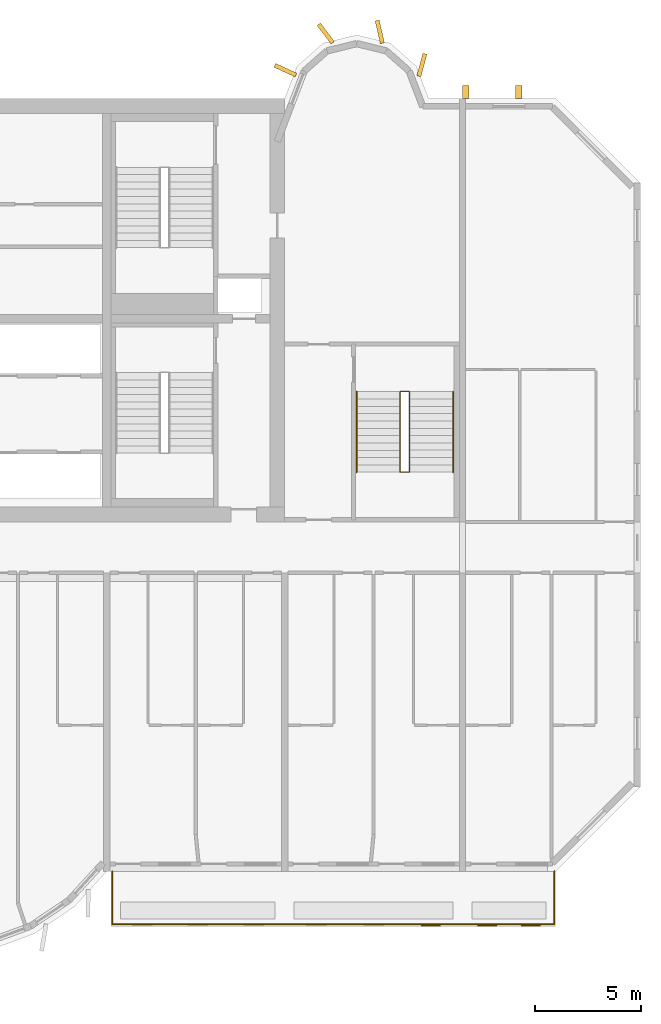
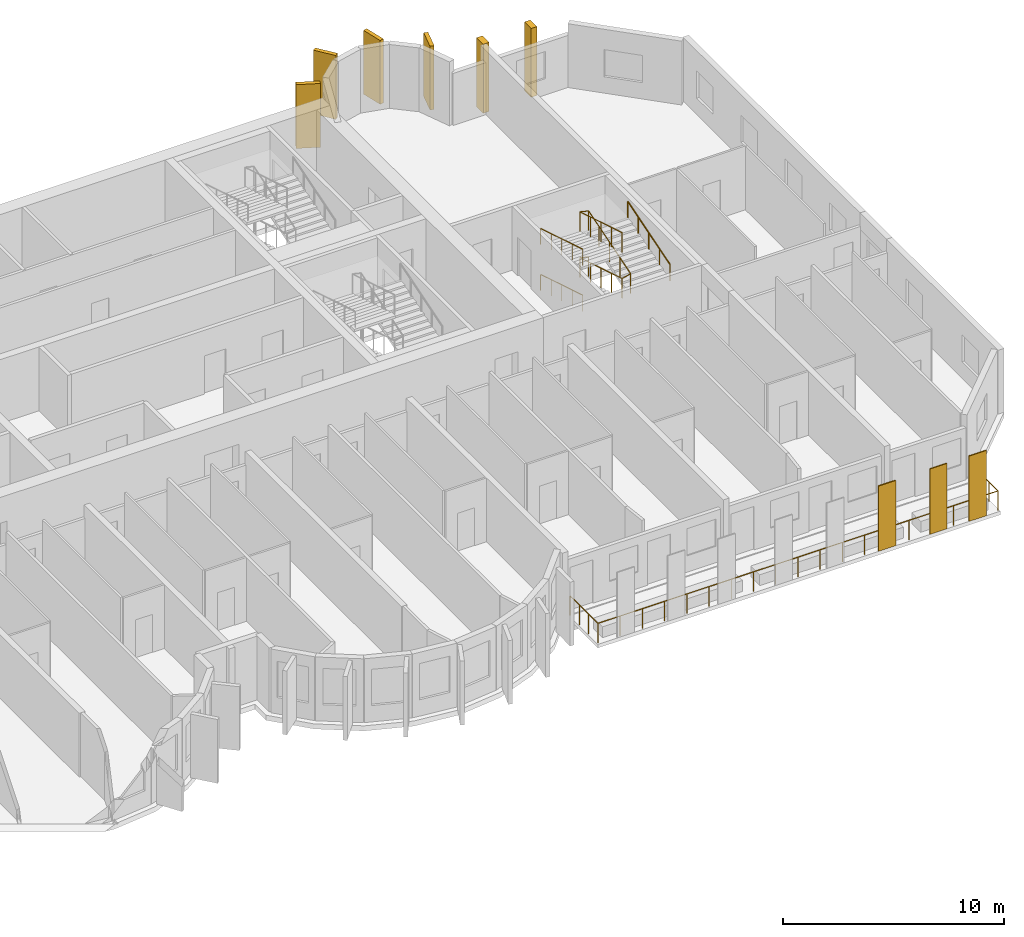
# One storey, part 12 of 13: 9 coverings, 5 railings.
"""IFC4 building model written with IfcOpenShell, lengths in metres."""

from ifc_helpers import new_model, si_unit, direction, frame, origin, origin_2d, place, context, subcontext, project, spatial, rectangle, circle, extrude, source, transform, mapped, material, layer, layer_set, material_profile, profile_set, type_object, element, save


model = new_model("IFC4")

# Units and contexts
model_context = context("Model", 3, precision=1e-05, world=origin(), true_north=direction((0.0, 1.0)))
body_context = subcontext(model_context, "Body", "Model", "MODEL_VIEW")
ifc_project = project(units=[si_unit("LENGTHUNIT", "METRE"), si_unit("AREAUNIT", "SQUARE_METRE"), si_unit("VOLUMEUNIT", "CUBIC_METRE"), si_unit("PLANEANGLEUNIT", "RADIAN"), si_unit("MASSUNIT", "GRAM", prefix="KILO")], contexts=[model_context])

# Site, building, storey
site_placement = place(None, origin())
site = spatial("IfcSite", under=ifc_project, at=site_placement, CompositionType="ELEMENT")
building_placement = place(site_placement, origin())
building = spatial("IfcBuilding", under=site, at=building_placement, Name="Vanashikhar Sky Hotel", CompositionType="ELEMENT")
storey_placement = place(building_placement, frame((0.0, 0.0, 174.39990234375)))
storey = spatial("IfcBuildingStorey", under=building, at=storey_placement, Name="L42", CompositionType="ELEMENT", Elevation=174.39990234375)

# Coverings
ifc_material_1 = material(Name="Terracotta", Category="masonry")
ifc_layer = layer(ifc_material_1, 0.06005859375)
ifc_layer_set = layer_set([ifc_layer], Name="Terracotta baguette screen")
covering_type_1 = type_object("IfcCoveringType", Name="Terracotta baguette screen", PredefinedType="CLADDING", material=ifc_layer_set)
shared_shape_1 = source(origin(), body_context, "Body", "SweptSolid", [
    extrude(rectangle(XDim=0.89990234375, YDim=0.06005859375, at=origin_2d()), origin(), (0.0, 0.0, 1.0), 3.60009765625),
])
for number, where, z_axis, x_axis, name in (
    (1, (82.5, 2.929931640625, -0.050048828125), (0.0, 0.0, 1.0), (1.0, 0.0, 0.0), "Terracotta screen"),
    (2, (85.175048828125, 2.929931640625, -0.050048828125), (0.0, 0.0, 1.0), (1.0, 0.0, 0.0), "Terracotta screen"),
    (3, (87.22509765625, 2.929931640625, -0.050048828125), (0.0, 0.0, 1.0), (1.0, 0.0, 0.0), "Terracotta screen"),
):
    element("IfcCovering", number, at=place(storey_placement, frame(where, z_axis=z_axis, x_axis=x_axis)), inside=storey, type_object=covering_type_1, Name=name, PredefinedType="CLADDING", context=body_context, shape_type="MappedRepresentation", body=[
        mapped(shared_shape_1, transform((0.0, 0.0, 0.0), scale=1.0)),
    ])
ifc_material_2 = material(Name="Concrete M60 dark", Category="concrete")
ifc_material_profile_1 = material_profile(ifc_material_2, rectangle(XDim=1.10009765625, YDim=0.199951171875, at=origin_2d()))
ifc_profile_set_1 = profile_set([ifc_material_profile_1], Name="Rear lobe fin 1100 x 200")
covering_type_2 = type_object("IfcCoveringType", Name="Rear lobe fin 1100 x 200", PredefinedType="CLADDING", material=ifc_profile_set_1)
shared_shape_2 = source(origin(), body_context, "Body", "SweptSolid", [
    extrude(rectangle(XDim=1.10009765625, YDim=0.199951171875, at=origin_2d()), origin(), (0.0, 0.0, 1.0), 3.52001953125),
])
for number, where, z_axis, x_axis, name in (
    (4, (75.63037109375, 43.33447265625, 0.0), (0.0, 0.0, 1.0), (-0.908004291068, 0.418960866193, 0.0), "Fin R2-1"),
    (5, (77.5380859375, 45.06640625, 0.0), (0.0, 0.0, 1.0), (-0.602065892195, 0.798446404874, 0.0), "Fin R2-2"),
    (6, (80.08984375, 45.1455078125, 0.0), (0.0, 0.0, 1.0), (-0.224644935864, 0.974440687159, 0.0), "Fin R2-3"),
    (7, (82.0791015625, 43.580078125, 0.0), (0.0, 0.0, 1.0), (0.262711264409, 0.964874495234, 0.0), "Fin R2-4"),
):
    element("IfcCovering", number, at=place(storey_placement, frame(where, z_axis=z_axis, x_axis=x_axis)), inside=storey, type_object=covering_type_2, Name=name, PredefinedType="CLADDING", context=body_context, shape_type="MappedRepresentation", body=[
        mapped(shared_shape_2, transform((0.0, 0.0, 0.0), scale=1.0)),
    ])

# Railing
ifc_material_3 = material(Name="Stainless steel 316", Category="steel")
railing_type_1 = type_object("IfcRailingType", Name="Balcony guard 1100", PredefinedType="GUARDRAIL", material=ifc_material_3)
shared_shape_3 = source(origin(), body_context, "Body", "SweptSolid", [
    extrude(circle(Radius=0.02392578125, at=origin_2d()), frame((0.0, 0.0, 1.076171875), z_axis=(0.0, -1.0, 0.0), x_axis=(1.0, 0.0, 0.0)), (0.0, 0.0, 1.0), 2.5),
    extrude(circle(Radius=0.02392578125, at=origin_2d()), frame((0.0, -2.5, 1.076171875), z_axis=(1.0, 0.0, 0.0), x_axis=(0.0, 1.0, 0.0)), (0.0, 0.0, 1.0), 20.880126953125),
    extrude(circle(Radius=0.02392578125, at=origin_2d()), frame((20.880126953125, -2.5, 1.076171875), z_axis=(0.0, 1.0, 0.0), x_axis=(-1.0, 0.0, 0.0)), (0.0, 0.0, 1.0), 2.5),
    extrude(circle(Radius=0.02099609375, at=origin_2d()), origin(), (0.0, 0.0, 1.0), 1.052001953125),
    extrude(circle(Radius=0.02099609375, at=origin_2d()), frame((0.0, -0.833251953125, 0.0)), (0.0, 0.0, 1.0), 1.052001953125),
    extrude(circle(Radius=0.02099609375, at=origin_2d()), frame((0.0, -1.666748046875, 0.0)), (0.0, 0.0, 1.0), 1.052001953125),
    extrude(circle(Radius=0.02099609375, at=origin_2d()), frame((0.0, -2.5, 0.0)), (0.0, 0.0, 1.0), 1.052001953125),
    extrude(circle(Radius=0.02099609375, at=origin_2d()), frame((1.159912109375, -2.5, 0.0)), (0.0, 0.0, 1.0), 1.052001953125),
    extrude(circle(Radius=0.02099609375, at=origin_2d()), frame((2.320068359375, -2.5, 0.0)), (0.0, 0.0, 1.0), 1.052001953125),
    extrude(circle(Radius=0.02099609375, at=origin_2d()), frame((3.47998046875, -2.5, 0.0)), (0.0, 0.0, 1.0), 1.052001953125),
    extrude(circle(Radius=0.02099609375, at=origin_2d()), frame((4.64013671875, -2.5, 0.0)), (0.0, 0.0, 1.0), 1.052001953125),
    extrude(circle(Radius=0.02099609375, at=origin_2d()), frame((5.800048828125, -2.5, 0.0)), (0.0, 0.0, 1.0), 1.052001953125),
    extrude(circle(Radius=0.02099609375, at=origin_2d()), frame((6.9599609375, -2.5, 0.0)), (0.0, 0.0, 1.0), 1.052001953125),
    extrude(circle(Radius=0.02099609375, at=origin_2d()), frame((8.1201171875, -2.5, 0.0)), (0.0, 0.0, 1.0), 1.052001953125),
    extrude(circle(Radius=0.02099609375, at=origin_2d()), frame((9.280029296875, -2.5, 0.0)), (0.0, 0.0, 1.0), 1.052001953125),
    extrude(circle(Radius=0.02099609375, at=origin_2d()), frame((10.43994140625, -2.5, 0.0)), (0.0, 0.0, 1.0), 1.052001953125),
    extrude(circle(Radius=0.02099609375, at=origin_2d()), frame((11.60009765625, -2.5, 0.0)), (0.0, 0.0, 1.0), 1.052001953125),
    extrude(circle(Radius=0.02099609375, at=origin_2d()), frame((12.760009765625, -2.5, 0.0)), (0.0, 0.0, 1.0), 1.052001953125),
    extrude(circle(Radius=0.02099609375, at=origin_2d()), frame((13.920166015625, -2.5, 0.0)), (0.0, 0.0, 1.0), 1.052001953125),
    extrude(circle(Radius=0.02099609375, at=origin_2d()), frame((15.080078125, -2.5, 0.0)), (0.0, 0.0, 1.0), 1.052001953125),
    extrude(circle(Radius=0.02099609375, at=origin_2d()), frame((16.239990234375, -2.5, 0.0)), (0.0, 0.0, 1.0), 1.052001953125),
    extrude(circle(Radius=0.02099609375, at=origin_2d()), frame((17.400146484375, -2.5, 0.0)), (0.0, 0.0, 1.0), 1.052001953125),
    extrude(circle(Radius=0.02099609375, at=origin_2d()), frame((18.56005859375, -2.5, 0.0)), (0.0, 0.0, 1.0), 1.052001953125),
    extrude(circle(Radius=0.02099609375, at=origin_2d()), frame((19.72021484375, -2.5, 0.0)), (0.0, 0.0, 1.0), 1.052001953125),
    extrude(circle(Radius=0.02099609375, at=origin_2d()), frame((20.880126953125, -2.5, 0.0)), (0.0, 0.0, 1.0), 1.052001953125),
    extrude(circle(Radius=0.02099609375, at=origin_2d()), frame((20.880126953125, -1.666748046875, 0.0)), (0.0, 0.0, 1.0), 1.052001953125),
    extrude(circle(Radius=0.02099609375, at=origin_2d()), frame((20.880126953125, -0.833251953125, 0.0)), (0.0, 0.0, 1.0), 1.052001953125),
    extrude(circle(Radius=0.02099609375, at=origin_2d()), frame((20.880126953125, 0.0, 0.0)), (0.0, 0.0, 1.0), 1.052001953125),
])
railing_1_placement = place(storey_placement, frame((67.4599609375, 5.5, -0.0498046875)))
element("IfcRailing", 8, at=railing_1_placement, inside=storey, type_object=railing_type_1, Name="Balcony guard", PredefinedType="GUARDRAIL", context=body_context, shape_type="MappedRepresentation", body=[
    mapped(shared_shape_3, transform((0.0, 0.0, 0.0), scale=1.0)),
])

# Coverings
ifc_material_profile_2 = material_profile(ifc_material_2, rectangle(XDim=0.60009765625, YDim=0.300048828125, at=origin_2d()))
ifc_profile_set_2 = profile_set([ifc_material_profile_2], Name="Rear rib 600 x 300")
covering_type_3 = type_object("IfcCoveringType", Name="Rear rib 600 x 300", PredefinedType="CLADDING", material=ifc_profile_set_2)
shared_shape_4 = source(origin(), body_context, "Body", "SweptSolid", [
    extrude(rectangle(XDim=0.60009765625, YDim=0.300048828125, at=origin_2d()), origin(), (0.0, 0.0, 1.0), 3.7998046875),
])
for number, where, z_axis, x_axis, name in (
    (9, (84.14990234375, 42.300048828125, -0.27978515625), (0.0, 0.0, 1.0), (0.0, 1.0, 0.0), "Rear rib"),
    (10, (86.64990234375, 42.300048828125, -0.27978515625), (0.0, 0.0, 1.0), (0.0, 1.0, 0.0), "Rear rib"),
):
    element("IfcCovering", number, at=place(storey_placement, frame(where, z_axis=z_axis, x_axis=x_axis)), inside=storey, type_object=covering_type_3, Name=name, PredefinedType="CLADDING", context=body_context, shape_type="MappedRepresentation", body=[
        mapped(shared_shape_4, transform((0.0, 0.0, 0.0), scale=1.0)),
    ])

# Railings
ifc_material_4 = material(Name="Steel S355", Category="steel")
railing_type_2 = type_object("IfcRailingType", Name="Stair handrail 900", PredefinedType="HANDRAIL", material=ifc_material_4)
shared_shape_5 = source(origin(), body_context, "Body", "SweptSolid", [
    extrude(circle(Radius=0.02392578125, at=origin_2d()), frame((0.0, 0.0, 0.8759765625), z_axis=(0.0, 0.956345846891, 0.292237268557), x_axis=(-1.0, 0.0, 0.0)), (0.0, 0.0, 1.0), 3.97314453125),
    extrude(circle(Radius=0.02099609375, at=origin_2d()), origin(), (0.0, 0.0, 1.0), 0.851806640625),
    extrude(circle(Radius=0.02099609375, at=origin_2d()), frame((0.0, 0.949951171875, 0.290283203125)), (0.0, 0.0, 1.0), 0.851806640625),
    extrude(circle(Radius=0.02099609375, at=origin_2d()), frame((0.0, 1.89990234375, 0.58056640625)), (0.0, 0.0, 1.0), 0.851806640625),
    extrude(circle(Radius=0.02099609375, at=origin_2d()), frame((0.0, 2.849853515625, 0.870849609375)), (0.0, 0.0, 1.0), 0.851806640625),
    extrude(circle(Radius=0.02099609375, at=origin_2d()), frame((0.0, 3.7998046875, 1.1611328125)), (0.0, 0.0, 1.0), 0.851806640625),
])
railing_2_placement = place(storey_placement, frame((83.550048828125, 24.35009765625, 1.372314453125)))
element("IfcRailing", 11, at=railing_2_placement, inside=storey, type_object=railing_type_2, Name="Exit stair 4 handrail", PredefinedType="HANDRAIL", context=body_context, shape_type="MappedRepresentation", body=[
    mapped(shared_shape_5, transform((0.0, 0.0, 0.0), scale=1.0)),
])
shared_shape_6 = source(origin(), body_context, "Body", "SweptSolid", [
    extrude(circle(Radius=0.02392578125, at=origin_2d()), frame((0.0, 0.0, 0.8759765625), z_axis=(0.0, -0.956345846891, 0.292237268557), x_axis=(1.0, 0.0, 0.0)), (0.0, 0.0, 1.0), 3.97314453125),
    extrude(circle(Radius=0.02099609375, at=origin_2d()), origin(), (0.0, 0.0, 1.0), 0.851806640625),
    extrude(circle(Radius=0.02099609375, at=origin_2d()), frame((0.0, -0.949951171875, 0.290283203125)), (0.0, 0.0, 1.0), 0.851806640625),
    extrude(circle(Radius=0.02099609375, at=origin_2d()), frame((0.0, -1.89990234375, 0.58056640625)), (0.0, 0.0, 1.0), 0.851806640625),
    extrude(circle(Radius=0.02099609375, at=origin_2d()), frame((0.0, -2.849853515625, 0.870849609375)), (0.0, 0.0, 1.0), 0.851806640625),
    extrude(circle(Radius=0.02099609375, at=origin_2d()), frame((0.0, -3.7998046875, 1.1611328125)), (0.0, 0.0, 1.0), 0.851806640625),
])
for number, where, name in (
    (12, (79.0, 28.14990234375, 0.105712890625), "Exit stair 4 handrail"),
    (13, (79.0, 28.14990234375, 2.638916015625), "Exit stair 4 handrail"),
):
    element("IfcRailing", number, at=place(storey_placement, frame(where)), inside=storey, type_object=railing_type_2, Name=name, PredefinedType="HANDRAIL", context=body_context, shape_type="MappedRepresentation", body=[
        mapped(shared_shape_6, transform((0.0, 0.0, 0.0), scale=1.0)),
    ])
railing_type_3 = type_object("IfcRailingType", Name="Stair guard 1100", PredefinedType="GUARDRAIL", material=ifc_material_4)
shared_shape_7 = source(origin(), body_context, "Body", "SweptSolid", [
    extrude(circle(Radius=0.02392578125, at=origin_2d()), frame((0.0, 0.0, 1.076171875), z_axis=(-0.973493315427, 0.0, 0.228715466945), x_axis=(0.0, -1.0, 0.0)), (0.0, 0.0, 1.0), 0.462158203125),
    extrude(circle(Radius=0.02392578125, at=origin_2d()), frame((-0.449951171875, 0.0, 1.181640625), z_axis=(0.0, -0.956345846891, 0.292237268557), x_axis=(1.0, 0.0, 0.0)), (0.0, 0.0, 1.0), 3.97314453125),
    extrude(circle(Radius=0.02392578125, at=origin_2d()), frame((-0.449951171875, -3.7998046875, 2.3427734375), z_axis=(0.973610808694, 0.0, 0.228214796178), x_axis=(0.0, 1.0, 0.0)), (0.0, 0.0, 1.0), 0.462158203125),
    extrude(circle(Radius=0.02392578125, at=origin_2d()), frame((0.0, -3.7998046875, 2.4482421875), z_axis=(0.0, 0.956345846891, 0.292237268557), x_axis=(-1.0, 0.0, 0.0)), (0.0, 0.0, 1.0), 3.97314453125),
    extrude(circle(Radius=0.02392578125, at=origin_2d()), frame((0.0, 0.0, 3.609375), z_axis=(-0.973610808694, 0.0, 0.228214796178), x_axis=(0.0, -1.0, 0.0)), (0.0, 0.0, 1.0), 0.462158203125),
    extrude(circle(Radius=0.02392578125, at=origin_2d()), frame((-0.449951171875, 0.0, 3.71484375), z_axis=(0.0, -0.956345846891, 0.292237268557), x_axis=(1.0, 0.0, 0.0)), (0.0, 0.0, 1.0), 3.97314453125),
    extrude(circle(Radius=0.02099609375, at=origin_2d()), origin(), (0.0, 0.0, 1.0), 1.052001953125),
    extrude(circle(Radius=0.02099609375, at=origin_2d()), frame((-0.449951171875, 0.0, 0.105712890625)), (0.0, 0.0, 1.0), 1.052001953125),
    extrude(circle(Radius=0.02099609375, at=origin_2d()), frame((-0.449951171875, -0.949951171875, 0.39599609375)), (0.0, 0.0, 1.0), 1.052001953125),
    extrude(circle(Radius=0.02099609375, at=origin_2d()), frame((-0.449951171875, -1.89990234375, 0.686279296875)), (0.0, 0.0, 1.0), 1.052001953125),
    extrude(circle(Radius=0.02099609375, at=origin_2d()), frame((-0.449951171875, -2.849853515625, 0.9765625)), (0.0, 0.0, 1.0), 1.052001953125),
    extrude(circle(Radius=0.02099609375, at=origin_2d()), frame((-0.449951171875, -3.7998046875, 1.266845703125)), (0.0, 0.0, 1.0), 1.052001953125),
    extrude(circle(Radius=0.02099609375, at=origin_2d()), frame((0.0, -3.7998046875, 1.372314453125)), (0.0, 0.0, 1.0), 1.052001953125),
    extrude(circle(Radius=0.02099609375, at=origin_2d()), frame((0.0, -2.849853515625, 1.66259765625)), (0.0, 0.0, 1.0), 1.052001953125),
    extrude(circle(Radius=0.02099609375, at=origin_2d()), frame((0.0, -1.89990234375, 1.952880859375)), (0.0, 0.0, 1.0), 1.052001953125),
    extrude(circle(Radius=0.02099609375, at=origin_2d()), frame((0.0, -0.949951171875, 2.2431640625)), (0.0, 0.0, 1.0), 1.052001953125),
    extrude(circle(Radius=0.02099609375, at=origin_2d()), frame((0.0, 0.0, 2.533447265625)), (0.0, 0.0, 1.0), 1.052001953125),
    extrude(circle(Radius=0.02099609375, at=origin_2d()), frame((-0.449951171875, 0.0, 2.638916015625)), (0.0, 0.0, 1.0), 1.052001953125),
    extrude(circle(Radius=0.02099609375, at=origin_2d()), frame((-0.449951171875, -0.949951171875, 2.92919921875)), (0.0, 0.0, 1.0), 1.052001953125),
    extrude(circle(Radius=0.02099609375, at=origin_2d()), frame((-0.449951171875, -1.89990234375, 3.219482421875)), (0.0, 0.0, 1.0), 1.052001953125),
    extrude(circle(Radius=0.02099609375, at=origin_2d()), frame((-0.449951171875, -2.849853515625, 3.509765625)), (0.0, 0.0, 1.0), 1.052001953125),
    extrude(circle(Radius=0.02099609375, at=origin_2d()), frame((-0.449951171875, -3.7998046875, 3.800048828125)), (0.0, 0.0, 1.0), 1.052001953125),
])
railing_3_placement = place(storey_placement, frame((81.5, 28.14990234375, 0.0)))
element("IfcRailing", 14, at=railing_3_placement, inside=storey, type_object=railing_type_3, Name="Exit stair 4 guard", PredefinedType="GUARDRAIL", context=body_context, shape_type="MappedRepresentation", body=[
    mapped(shared_shape_7, transform((0.0, 0.0, 0.0), scale=1.0)),
])

save(model, "model.ifc")
